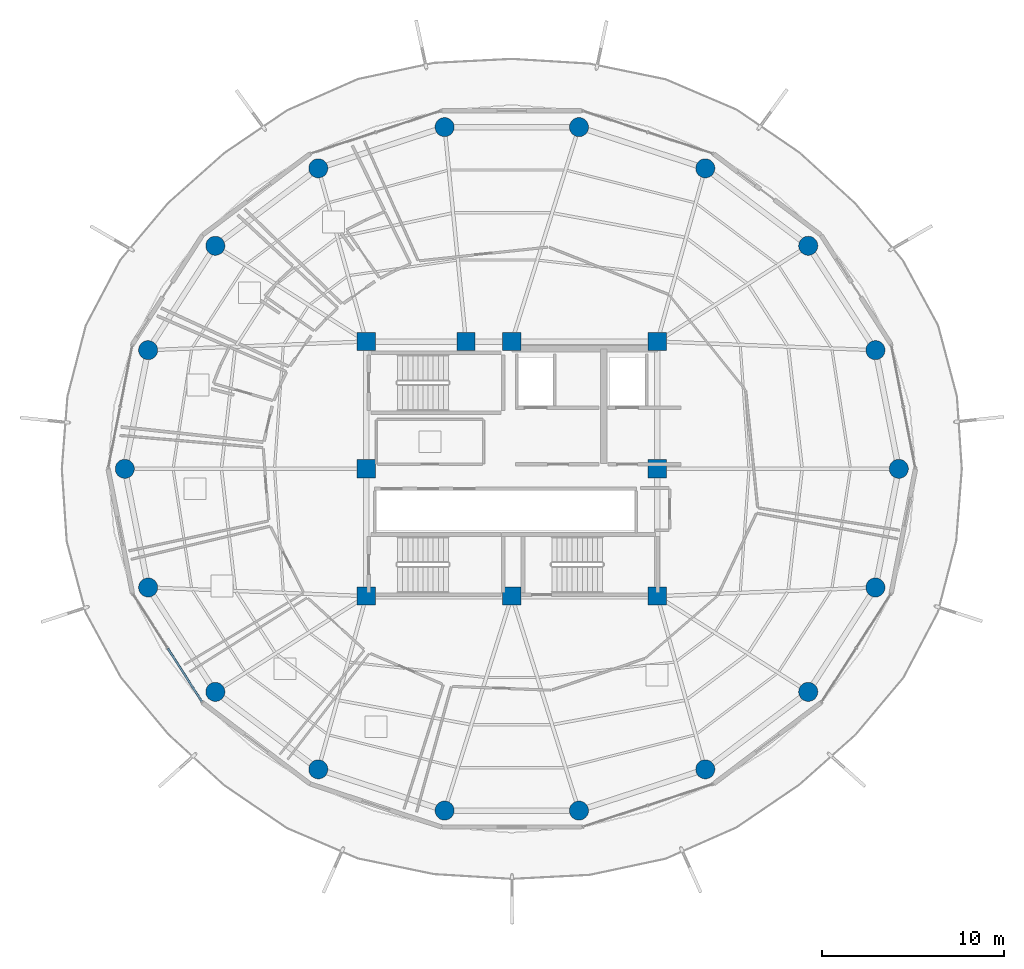
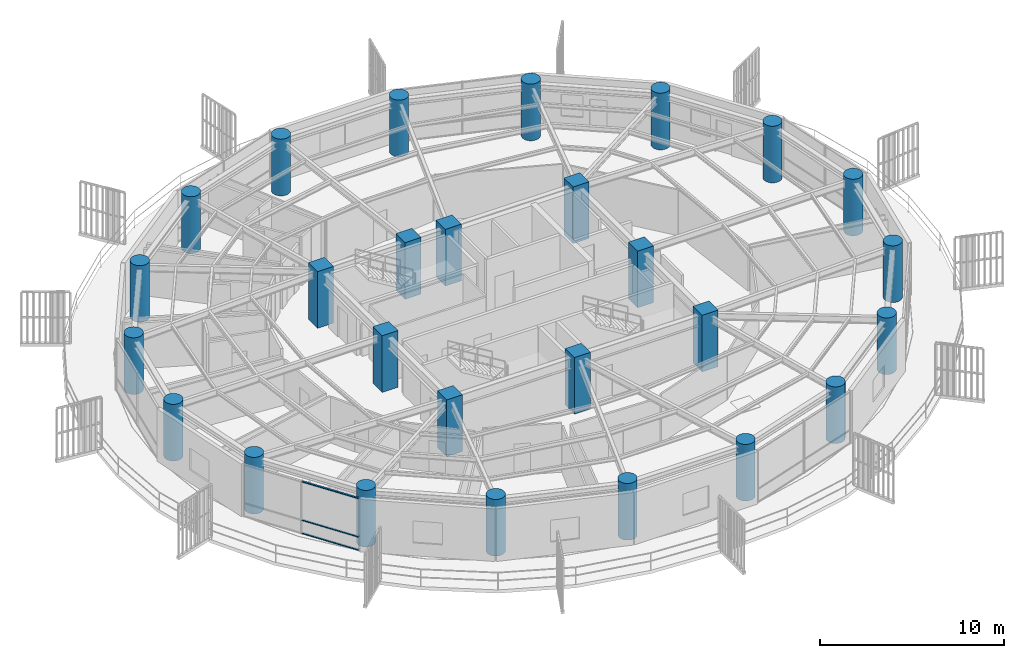
# One storey, part 1 of 31: 27 columns, 3 members, 1 element without a shape of its own.
"""IFC4 building model written with IfcOpenShell, lengths in metres."""

from ifc_helpers import new_model, si_unit, direction, frame, origin, origin_2d, place, context, subcontext, project, spatial, rectangle, hollow_rectangle, circle, extrude, material, layer, layer_set, material_profile, profile_set, type_object, element, aggregate, save


model = new_model("IFC4")

# Units and contexts
model_context = context("Model", 3, precision=1e-05, world=origin(), true_north=direction((0.0, 1.0)))
body_context = subcontext(model_context, "Body", "Model", "MODEL_VIEW")
ifc_project = project(units=[si_unit("LENGTHUNIT", "METRE"), si_unit("AREAUNIT", "SQUARE_METRE"), si_unit("VOLUMEUNIT", "CUBIC_METRE"), si_unit("PLANEANGLEUNIT", "RADIAN"), si_unit("MASSUNIT", "GRAM", prefix="KILO")], contexts=[model_context])

# Site, building, storey
site_placement = place(None, origin())
site = spatial("IfcSite", under=ifc_project, at=site_placement, CompositionType="ELEMENT")
building_placement = place(site_placement, origin())
building = spatial("IfcBuilding", under=site, at=building_placement, Name="Kelanora Arch Commons", CompositionType="ELEMENT")
storey_placement = place(building_placement, frame((0.0, 0.0, 223.199951171875)))
storey = spatial("IfcBuildingStorey", under=building, at=storey_placement, Name="L57", CompositionType="ELEMENT", Elevation=223.199951171875)

# Columns
ifc_material_1 = material(Name="Concrete C50/60", Category="concrete")
ifc_material_profile_1 = material_profile(ifc_material_1, circle(Radius=0.52490234375, at=origin_2d()), Name="RCC1050")
ifc_profile_set_1 = profile_set([ifc_material_profile_1], Name="Concrete C50/60")
column_type_1 = type_object("IfcColumnType", Name="COL-PERIM-Z4", PredefinedType="COLUMN", material=ifc_profile_set_1)
for number, where, z_axis, x_axis, name in (
    (1, (95.280029296875, 58.0, 0.0), (0.0, 0.0, 1.0), (1.0, 0.0, 0.0), "Perimeter Ring Column CP-00 L57"),
    (2, (93.99658203125, 64.525634765625, 0.0), (0.0, 0.0, 1.0), (1.0, 0.0, 0.0), "Perimeter Ring Column CP-02 L57"),
    (3, (90.301513671875, 70.264404296875, 0.0), (0.0, 0.0, 1.0), (1.0, 0.0, 0.0), "Perimeter Ring Column CP-04 L57"),
    (4, (84.639892578125, 74.523681640625, 0.0), (0.0, 0.0, 1.0), (1.0, 0.0, 0.0), "Perimeter Ring Column CP-06 L57"),
    (5, (77.6953125, 76.7900390625, 0.0), (0.0, 0.0, 1.0), (1.0, 0.0, 0.0), "Perimeter Ring Column CP-08 L57"),
    (6, (70.3046875, 76.7900390625, 0.0), (0.0, 0.0, 1.0), (1.0, 0.0, 0.0), "Perimeter Ring Column CP-10 L57"),
    (7, (63.360107421875, 74.523681640625, 0.0), (0.0, 0.0, 1.0), (1.0, 0.0, 0.0), "Perimeter Ring Column CP-12 L57"),
    (8, (57.698486328125, 70.264404296875, 0.0), (0.0, 0.0, 1.0), (1.0, 0.0, 0.0), "Perimeter Ring Column CP-14 L57"),
    (9, (54.00341796875, 64.525634765625, 0.0), (0.0, 0.0, 1.0), (1.0, 0.0, 0.0), "Perimeter Ring Column CP-16 L57"),
    (10, (52.719970703125, 58.0, 0.0), (0.0, 0.0, 1.0), (1.0, 0.0, 0.0), "Perimeter Ring Column CP-18 L57"),
    (11, (54.00341796875, 51.474365234375, 0.0), (0.0, 0.0, 1.0), (1.0, 0.0, 0.0), "Perimeter Ring Column CP-20 L57"),
    (12, (57.698486328125, 45.735595703125, 0.0), (0.0, 0.0, 1.0), (1.0, 0.0, 0.0), "Perimeter Ring Column CP-22 L57"),
    (13, (63.360107421875, 41.476318359375, 0.0), (0.0, 0.0, 1.0), (1.0, 0.0, 0.0), "Perimeter Ring Column CP-24 L57"),
    (14, (70.3046875, 39.2099609375, 0.0), (0.0, 0.0, 1.0), (1.0, 0.0, 0.0), "Perimeter Ring Column CP-26 L57"),
    (15, (77.6953125, 39.2099609375, 0.0), (0.0, 0.0, 1.0), (1.0, 0.0, 0.0), "Perimeter Ring Column CP-28 L57"),
    (16, (84.639892578125, 41.476318359375, 0.0), (0.0, 0.0, 1.0), (1.0, 0.0, 0.0), "Perimeter Ring Column CP-30 L57"),
    (17, (90.301513671875, 45.735595703125, 0.0), (0.0, 0.0, 1.0), (1.0, 0.0, 0.0), "Perimeter Ring Column CP-32 L57"),
    (18, (93.99658203125, 51.474365234375, 0.0), (0.0, 0.0, 1.0), (1.0, 0.0, 0.0), "Perimeter Ring Column CP-34 L57"),
):
    element("IfcColumn", number, at=place(storey_placement, frame(where, z_axis=z_axis, x_axis=x_axis)), inside=storey, type_object=column_type_1, Name=name, PredefinedType="COLUMN", context=body_context, shape_type="SweptSolid", body=[
        extrude(circle(Radius=0.52490234375, at=origin_2d()), origin(), (0.0, 0.0, 1.0), 3.75),
    ])
ifc_material_profile_2 = material_profile(ifc_material_1, rectangle(XDim=1.0, YDim=1.0, at=origin_2d()), Name="RC1000x1000")
ifc_profile_set_2 = profile_set([ifc_material_profile_2], Name="Concrete C50/60")
column_type_2 = type_object("IfcColumnType", Name="COL-PIL-HIGH", PredefinedType="PILASTER", material=ifc_profile_set_2)
for number, where, z_axis, x_axis, name in (
    (19, (66.0, 51.0, 0.0), (0.0, 0.0, 1.0), (1.0, 0.0, 0.0), "Core Pilaster Column CP1 L57"),
    (20, (74.0, 51.0, 0.0), (0.0, 0.0, 1.0), (1.0, 0.0, 0.0), "Core Pilaster Column CP2 L57"),
    (21, (82.0, 51.0, 0.0), (0.0, 0.0, 1.0), (1.0, 0.0, 0.0), "Core Pilaster Column CP3 L57"),
    (22, (82.0, 58.0, 0.0), (0.0, 0.0, 1.0), (1.0, 0.0, 0.0), "Core Pilaster Column CP4 L57"),
    (23, (82.0, 65.0, 0.0), (0.0, 0.0, 1.0), (1.0, 0.0, 0.0), "Core Pilaster Column CP5 L57"),
    (24, (74.0, 65.0, 0.0), (0.0, 0.0, 1.0), (1.0, 0.0, 0.0), "Core Pilaster Column CP6 L57"),
    (25, (71.47998046875, 65.0, 0.0), (0.0, 0.0, 1.0), (1.0, 0.0, 0.0), "Core Pilaster Column CP9 L57"),
    (26, (66.0, 65.0, 0.0), (0.0, 0.0, 1.0), (1.0, 0.0, 0.0), "Core Pilaster Column CP7 L57"),
    (27, (66.0, 58.0, 0.0), (0.0, 0.0, 1.0), (1.0, 0.0, 0.0), "Core Pilaster Column CP8 L57"),
):
    element("IfcColumn", number, at=place(storey_placement, frame(where, z_axis=z_axis, x_axis=x_axis)), inside=storey, type_object=column_type_2, Name=name, PredefinedType="PILASTER", context=body_context, shape_type="SweptSolid", body=[
        extrude(rectangle(XDim=1.0, YDim=1.0, at=origin_2d()), origin(), (0.0, 0.0, 1.0), 3.75),
    ])

# Curtain wall, members
ifc_material_2 = material(Name="Terracotta ceramic-fritted low-E glass and aluminium", Category="masonry")
ifc_layer = layer(ifc_material_2, 0.175048828125)
ifc_layer_set = layer_set([ifc_layer], Name="Terracotta ceramic-fritted low-E glass and aluminium")
curtain_wall_type = type_object("IfcCurtainWallType", Name="CW-SYS-02", PredefinedType="NOTDEFINED", material=ifc_layer_set)
curtain_wall_placement = place(storey_placement, origin())
curtain_wall = element("IfcCurtainWall", 28, at=curtain_wall_placement, inside=storey, type_object=curtain_wall_type, Name="Unitised Curtain Wall L57-B10", PredefinedType="NOTDEFINED")
ifc_material_3 = material(Name="Powder-coated aluminium terracotta", Category="masonry")
ifc_material_profile_3 = material_profile(ifc_material_3, hollow_rectangle(XDim=0.1201171875, YDim=0.06005859375, WallThickness=0.0048828125, InnerFilletRadius=0.0048828125, OuterFilletRadius=0.010009765625, at=origin_2d()), Name="CWT120x60")
ifc_profile_set_3 = profile_set([ifc_material_profile_3], Name="Powder-coated aluminium terracotta")
member_type = type_object("IfcMemberType", Name="CWT-STD", PredefinedType="USERDEFINED", material=ifc_profile_set_3)
member_1_placement = place(storey_placement, frame((55.08251953125, 48.126708984375, 0.030029296875), z_axis=(0.53954710894, -0.841955412854, 0.0), x_axis=(0.841955412854, 0.53954710894, 0.0)))
member_1 = element("IfcMember", 29, at=member_1_placement, type_object=member_type, Name="CW-02 transom 2.1", ObjectType="TRANSOM", PredefinedType="USERDEFINED", context=body_context, shape_type="SweptSolid", body=[
    extrude(hollow_rectangle(XDim=0.1201171875, YDim=0.06005859375, WallThickness=0.0048828125, InnerFilletRadius=0.0048828125, OuterFilletRadius=0.010009765625, at=origin_2d()), origin(), (0.0, 0.0, 1.0), 3.467529296875),
])
member_2_placement = place(storey_placement, frame((55.08251953125, 48.126708984375, 0.900146484375), z_axis=(0.53954710894, -0.841955412854, 0.0), x_axis=(0.841955412854, 0.53954710894, 0.0)))
member_2 = element("IfcMember", 30, at=member_2_placement, type_object=member_type, Name="CW-02 transom 2.2", ObjectType="TRANSOM", PredefinedType="USERDEFINED", context=body_context, shape_type="SweptSolid", body=[
    extrude(hollow_rectangle(XDim=0.1201171875, YDim=0.06005859375, WallThickness=0.0048828125, InnerFilletRadius=0.0048828125, OuterFilletRadius=0.010009765625, at=origin_2d()), origin(), (0.0, 0.0, 1.0), 3.467529296875),
])
member_3_placement = place(storey_placement, frame((55.08251953125, 48.126708984375, 3.445068359375), z_axis=(0.53954710894, -0.841955412854, 0.0), x_axis=(0.841955412854, 0.53954710894, 0.0)))
member_3 = element("IfcMember", 31, at=member_3_placement, type_object=member_type, Name="CW-02 transom 2.3", ObjectType="TRANSOM", PredefinedType="USERDEFINED", context=body_context, shape_type="SweptSolid", body=[
    extrude(hollow_rectangle(XDim=0.1201171875, YDim=0.06005859375, WallThickness=0.0048828125, InnerFilletRadius=0.0048828125, OuterFilletRadius=0.010009765625, at=origin_2d()), origin(), (0.0, 0.0, 1.0), 3.467529296875),
])
aggregate(curtain_wall, [member_1, member_2, member_3])

save(model, "model.ifc")
